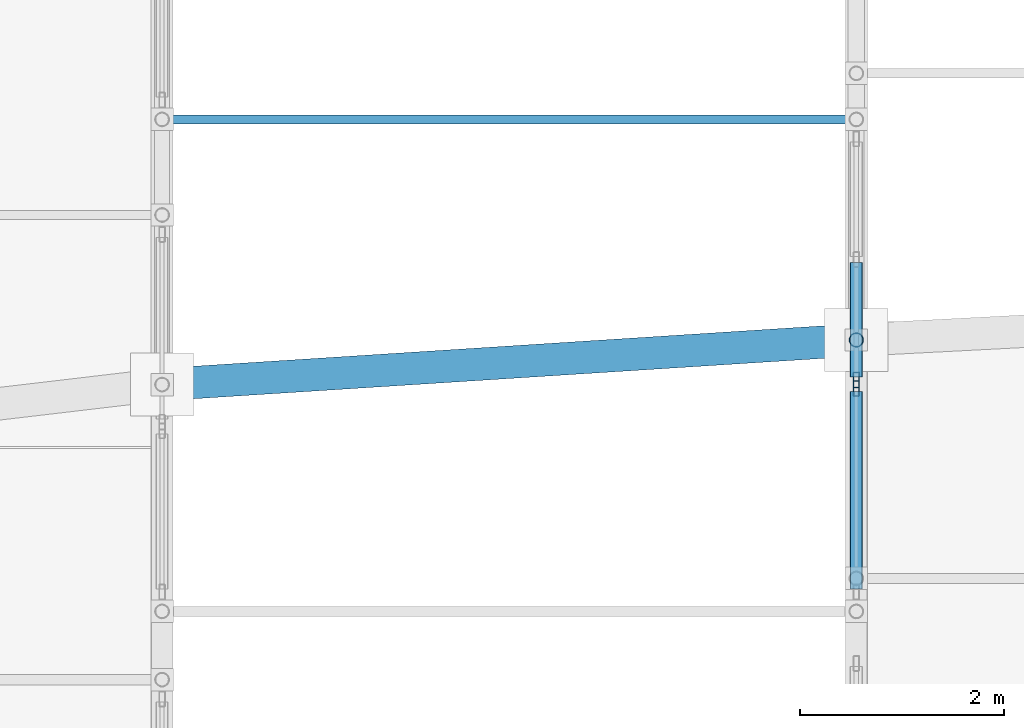
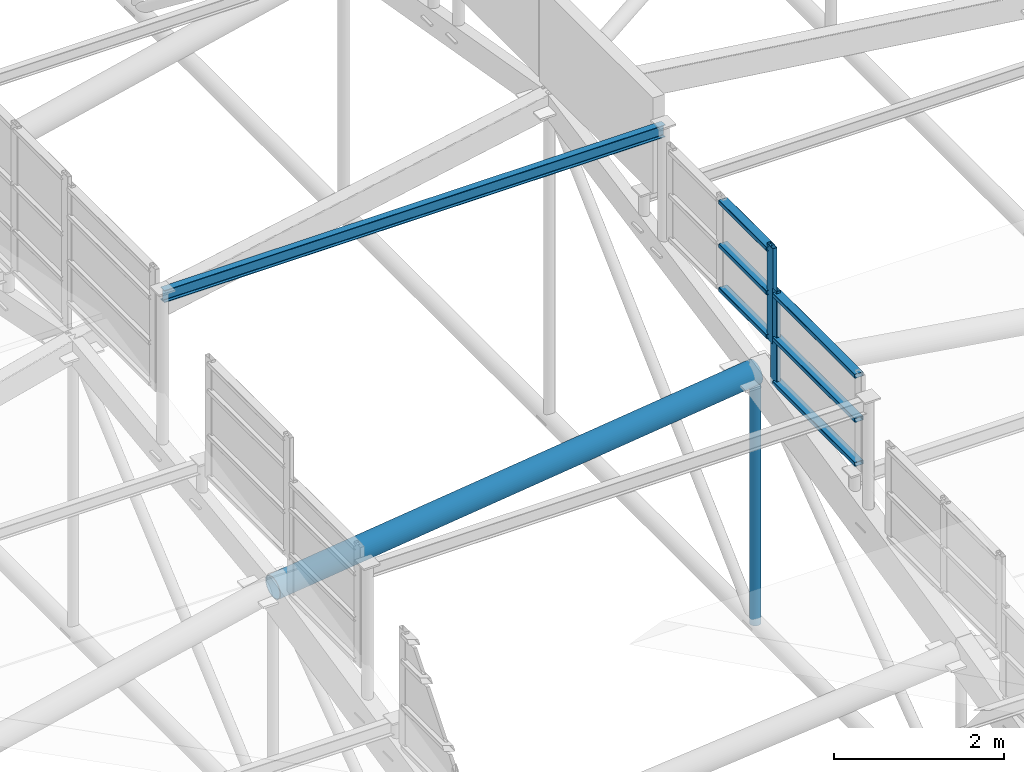
# One storey, part 76 of 188: 11 members, 2 elements without a shape of their own.
"""IFC4 building model written with IfcOpenShell, lengths in metres."""

import ifcopenshell
import ifcopenshell.guid

model = None  # the IFC model being written
_history = None  # IfcOwnerHistory: only IFC2X3 demands one
_inside = {}  # id of a spatial element -> (the spatial element, [elements in it])
_under = {}  # id of a project, library or spatial element -> (it, [spatial elements below it])
_declared = {}  # id of a project -> (the project, [libraries it declares])
_typed = {}  # id of a type object -> (the type object, [elements of that type])
_made_of = {}  # id of a material, layer set ... -> (it, [elements and type objects made of it])


def new_model(schema):
    """Start an empty IFC model of exactly this schema.

    Asked for "IFC4X3", IfcOpenShell would pick the latest addendum, in which some entities
    have other attributes; the version numbers below select the first issue.
    IFC2X3 requires an IfcOwnerHistory on every rooted entity: one is made here for all.
    """
    global model, _history
    if schema == "IFC4X3":
        model = ifcopenshell.file(schema_version=(4, 3, 0, 0))
    else:
        model = ifcopenshell.file(schema=schema)
    _inside.clear()
    _under.clear()
    _declared.clear()
    _typed.clear()
    _made_of.clear()
    _history = None
    if model.schema == "IFC2X3":
        org = make("IfcOrganization", Name="unknown")
        user = make(
            "IfcPersonAndOrganization",
            ThePerson=make("IfcPerson", FamilyName="unknown"),
            TheOrganization=org,
        )
        app = make(
            "IfcApplication",
            ApplicationDeveloper=org,
            Version="unknown",
            ApplicationFullName="unknown",
            ApplicationIdentifier="unknown",
        )
        _history = make(
            "IfcOwnerHistory",
            OwningUser=user,
            OwningApplication=app,
            ChangeAction="ADDED",
            CreationDate=0,
        )
    return model


def make(cls, **values):
    """One entity of the class cls with the attributes given. An attribute that is None is left unset."""
    return model.create_entity(
        cls, **{name: value for name, value in values.items() if value is not None}
    )


def rooted(cls, **values):
    """An entity with a GlobalId (a new one), such as an element, a storey or a relation."""
    return make(cls, GlobalId=ifcopenshell.guid.new(), OwnerHistory=_history, **values)


def si_unit(unit_type, name, prefix=None):
    """IfcSIUnit, for example si_unit("LENGTHUNIT", "METRE", prefix="MILLI")."""
    return make("IfcSIUnit", UnitType=unit_type, Prefix=prefix, Name=name)


def assignment(units):
    """IfcUnitAssignment: the units of a project."""
    return None if units is None else make("IfcUnitAssignment", Units=units)


def point(xyz):
    """IfcCartesianPoint."""
    return None if xyz is None else make("IfcCartesianPoint", Coordinates=xyz)


def direction(xyz):
    """IfcDirection."""
    return None if xyz is None else make("IfcDirection", DirectionRatios=xyz)


def frame(location, z_axis=None, x_axis=None):
    """IfcAxis2Placement3D, a coordinate frame: its origin and axes. An axis left out is left unset."""
    return make(
        "IfcAxis2Placement3D",
        Location=point(location),
        Axis=direction(z_axis),
        RefDirection=direction(x_axis),
    )


def frame_2d(location, x_axis=None):
    """IfcAxis2Placement2D, a coordinate frame in the plane: its origin and x axis."""
    return make(
        "IfcAxis2Placement2D", Location=point(location), RefDirection=direction(x_axis)
    )


def origin():
    """The frame at (0, 0, 0) with its axes left unset."""
    return frame((0.0, 0.0, 0.0))


def origin_2d():
    """The frame at (0, 0) in the plane with its x axis left unset."""
    return frame_2d((0.0, 0.0))


def place(relative_to, where):
    """IfcLocalPlacement: puts the frame where relative to a parent placement (None: the world)."""
    return make(
        "IfcLocalPlacement", PlacementRelTo=relative_to, RelativePlacement=where
    )


def context(
    kind, dimensions, precision=None, world=None, true_north=None, identifier=None
):
    """IfcGeometricRepresentationContext, for example the 3D "Model" context."""
    return make(
        "IfcGeometricRepresentationContext",
        ContextIdentifier=identifier,
        ContextType=kind,
        CoordinateSpaceDimension=dimensions,
        Precision=precision,
        WorldCoordinateSystem=world,
        TrueNorth=true_north,
    )


def subcontext(parent, identifier, kind, view, scale=None):
    """IfcGeometricRepresentationSubContext, for example "Body" below "Model"."""
    return make(
        "IfcGeometricRepresentationSubContext",
        ContextIdentifier=identifier,
        ContextType=kind,
        ParentContext=parent,
        TargetScale=scale,
        TargetView=view,
    )


def project(units=None, contexts=None):
    """IfcProject with its units and contexts."""
    return rooted(
        "IfcProject",
        Name="project",
        RepresentationContexts=contexts,
        UnitsInContext=assignment(units),
    )


def spatial(cls, under=None, at=None, **own):
    """A site, building, storey or space (cls), placed at a placement, below another one or the project."""
    s = rooted(cls, ObjectPlacement=at, **own)
    if under is not None:
        _under.setdefault(under.id(), (under, []))[1].append(s)
    return s


def profile(cls, at=None, kind="AREA", **sizes):
    """A parametric profile (cls). Its sizes go by their IFC names, for example OverallWidth=200.0."""
    return make(cls, ProfileType=kind, Position=at, **sizes)


def hollow_rectangle(**sizes):
    """IfcRectangleHollowProfileDef."""
    return profile("IfcRectangleHollowProfileDef", **sizes)


def hollow_circle(**sizes):
    """IfcCircleHollowProfileDef."""
    return profile("IfcCircleHollowProfileDef", **sizes)


def i_section(**sizes):
    """IfcIShapeProfileDef."""
    return profile("IfcIShapeProfileDef", **sizes)


def extrude(swept, where, along, depth):
    """IfcExtrudedAreaSolid: the profile swept, set in the frame where, extruded along a direction by depth."""
    return make(
        "IfcExtrudedAreaSolid",
        SweptArea=swept,
        Position=where,
        ExtrudedDirection=direction(along),
        Depth=depth,
    )


def shape(context_of_items, identifier, shape_type, items):
    """IfcShapeRepresentation: the items that make up one representation, for example the "Body"."""
    return make(
        "IfcShapeRepresentation",
        ContextOfItems=context_of_items,
        RepresentationIdentifier=identifier,
        RepresentationType=shape_type,
        Items=items,
    )


def material(Name=None, Category=None):
    """IfcMaterial."""
    return make("IfcMaterial", Name=Name, Category=Category)


def layer(
    of_material, thickness, ventilated=None, Name=None, Category=None, Priority=None
):
    """IfcMaterialLayer: one layer of a wall or slab, of a material (None: an air gap)."""
    return make(
        "IfcMaterialLayer",
        Material=of_material,
        LayerThickness=thickness,
        IsVentilated=ventilated,
        Name=Name,
        Category=Category,
        Priority=Priority,
    )


def layer_set(layers, Name=None):
    """IfcMaterialLayerSet."""
    return make("IfcMaterialLayerSet", MaterialLayers=layers, LayerSetName=Name)


def material_profile(
    of_material, cross_section, Name=None, Category=None, Priority=None
):
    """IfcMaterialProfile: a cross section and its material."""
    return make(
        "IfcMaterialProfile",
        Name=Name,
        Material=of_material,
        Profile=cross_section,
        Priority=Priority,
        Category=Category,
    )


def profile_set(profiles, Name=None, composite=None):
    """IfcMaterialProfileSet."""
    return make(
        "IfcMaterialProfileSet",
        Name=Name,
        MaterialProfiles=profiles,
        CompositeProfile=composite,
    )


def made_of(thing, what):
    """Note that an element or type object is made of a material, layer set ...; save() writes the relation."""
    if what is not None:
        _made_of.setdefault(what.id(), (what, []))[1].append(thing)
    return thing


def type_object(cls, material=None, **own):
    """A type object (cls), such as IfcWallType, which elements share."""
    return made_of(rooted(cls, **own), material)


def element(
    cls,
    number,
    at=None,
    inside=None,
    cuts=None,
    type_object=None,
    material=None,
    context=None,
    identifier="Body",
    shape_type=None,
    held_by="IfcProductDefinitionShape",
    body=None,
    shapes=None,
    **own,
):
    """One element of the class cls, such as IfcWall. Its Tag is "e" and its number.

    at: its placement. inside: the storey or other place that contains it. cuts: it is an
    opening in that element (IfcRelVoidsElement). A single representation is given by context,
    identifier, shape_type and body (its items); several are given by shapes. held_by: the class
    of the entity that holds the representations. save() writes the other relations.
    """
    e = rooted(cls, Tag="e%d" % number, ObjectPlacement=at, **own)
    if body is not None:
        shapes = [shape(context, identifier, shape_type, body)]
    if shapes is not None:
        e.Representation = make(held_by, Representations=shapes)
    if inside is not None:
        _inside.setdefault(inside.id(), (inside, []))[1].append(e)
    if cuts is not None:
        rooted(
            "IfcRelVoidsElement", RelatingBuildingElement=cuts, RelatedOpeningElement=e
        )
    if type_object is not None:
        _typed.setdefault(type_object.id(), (type_object, []))[1].append(e)
    return made_of(e, material)


def aggregate(whole, parts):
    """IfcRelAggregates: a whole, such as a stair, and the parts it consists of."""
    return rooted("IfcRelAggregates", RelatingObject=whole, RelatedObjects=parts)


def save(model, path):
    """Write the relations noted so far, then the file.

    IfcRelAggregates (storeys below a building ...), IfcRelContainedInSpatialStructure (elements
    in a storey), IfcRelDefinesByType, IfcRelAssociatesMaterial and IfcRelDeclares: one each for
    every whole, place, type object, material and project.
    """
    for whole, parts in _under.values():
        aggregate(whole, parts)
    for where, things in _inside.values():
        rooted(
            "IfcRelContainedInSpatialStructure",
            RelatedElements=things,
            RelatingStructure=where,
        )
    for kind, things in _typed.values():
        rooted("IfcRelDefinesByType", RelatedObjects=things, RelatingType=kind)
    for what, things in _made_of.values():
        rooted("IfcRelAssociatesMaterial", RelatedObjects=things, RelatingMaterial=what)
    for by, libraries in _declared.values():
        rooted("IfcRelDeclares", RelatingContext=by, RelatedDefinitions=libraries)
    model.write(path)


model = new_model("IFC4")

# Units and contexts
model_context = context("Model", 3, precision=1e-05, world=origin(), true_north=direction((0.0, 1.0)))
body_context = subcontext(model_context, "Body", "Model", "MODEL_VIEW")
ifc_project = project(units=[si_unit("LENGTHUNIT", "METRE"), si_unit("AREAUNIT", "SQUARE_METRE"), si_unit("VOLUMEUNIT", "CUBIC_METRE"), si_unit("PLANEANGLEUNIT", "RADIAN"), si_unit("MASSUNIT", "GRAM", prefix="KILO")], contexts=[model_context])

# Site, building, storey
site_placement = place(None, origin())
site = spatial("IfcSite", under=ifc_project, at=site_placement, CompositionType="ELEMENT")
building_placement = place(site_placement, origin())
building = spatial("IfcBuilding", under=site, at=building_placement, Name="Kisaragi Civic Commons", CompositionType="ELEMENT")
storey_placement = place(building_placement, frame((0.0, 0.0, 9.60009765625)))
storey = spatial("IfcBuildingStorey", under=building, at=storey_placement, Name="L02", CompositionType="ELEMENT", Elevation=9.60009765625)

# Curtain wall, member
ifc_material_1 = material(Name="Thermally broken anodized aluminium and low-E double glazing", Category="aluminium")
ifc_layer = layer(ifc_material_1, 0.14990234375, Name="Thermally broken anodized aluminium and low-E double glazing", Category="aluminium")
ifc_layer_set = layer_set([ifc_layer], Name="Thermally broken anodized aluminium and low-E double glazing")
curtain_wall_type = type_object("IfcCurtainWallType", Name="CW-03", PredefinedType="NOTDEFINED", material=ifc_layer_set)
curtain_wall_1_placement = place(storey_placement, origin())
curtain_wall_1 = element("IfcCurtainWall", 1, at=curtain_wall_1_placement, inside=storey, type_object=curtain_wall_type, Name="L02 curtain wall CW-03 CW-CL-V2-196", PredefinedType="NOTDEFINED")
ifc_material_profile_1 = material_profile(ifc_material_1, hollow_rectangle(XDim=0.06005859375, YDim=0.14990234375, WallThickness=0.00390625, InnerFilletRadius=0.00390625, OuterFilletRadius=0.008056640625, at=origin_2d()), Name="CWM-60x150x4", Category="aluminium")
ifc_profile_set_1 = profile_set([ifc_material_profile_1], Name="Thermally broken anodized aluminium and low-E double glazing")
member_type_1 = type_object("IfcMemberType", Name="CWM-01", PredefinedType="MULLION", material=ifc_profile_set_1)
member_1_placement = place(storey_placement, frame((20.39990234375, 93.25048828125, 3.319580078125), z_axis=(0.0, 0.0, 1.0), x_axis=(-1.0, 0.0, 0.0)))
member_1 = element("IfcMember", 2, at=member_1_placement, type_object=member_type_1, Name="CW-03 mullion 2", PredefinedType="MULLION", context=body_context, shape_type="SweptSolid", body=[
    extrude(hollow_rectangle(XDim=0.06005859375, YDim=0.14990234375, WallThickness=0.00390625, InnerFilletRadius=0.00390625, OuterFilletRadius=0.008056640625, at=origin_2d()), origin(), (0.0, 0.0, 1.0), 1.38525390625),
])

curtain_wall_2_placement = place(storey_placement, origin())
curtain_wall_2 = element("IfcCurtainWall", 3, at=curtain_wall_2_placement, inside=storey, type_object=curtain_wall_type, Name="L02 curtain wall CW-03 CW-CL-V2-197", PredefinedType="NOTDEFINED")
member_2_placement = place(storey_placement, frame((20.39990234375, 93.33447265625, 3.8955078125), z_axis=(0.0, 0.0, 1.0), x_axis=(-1.0, 0.0, 0.0)))
member_2 = element("IfcMember", 4, at=member_2_placement, type_object=member_type_1, Name="CW-03 mullion 1", PredefinedType="MULLION", context=body_context, shape_type="SweptSolid", body=[
    extrude(hollow_rectangle(XDim=0.06005859375, YDim=0.14990234375, WallThickness=0.00390625, InnerFilletRadius=0.00390625, OuterFilletRadius=0.008056640625, at=origin_2d()), origin(), (0.0, 0.0, 1.0), 1.37451171875),
])

# Member
ifc_material_profile_2 = material_profile(ifc_material_1, hollow_rectangle(XDim=0.1201171875, YDim=0.06005859375, WallThickness=0.00390625, InnerFilletRadius=0.00390625, OuterFilletRadius=0.008056640625, at=origin_2d()), Name="CWT-60x120x4", Category="aluminium")
ifc_profile_set_2 = profile_set([ifc_material_profile_2], Name="Thermally broken anodized aluminium and low-E double glazing")
member_type_2 = type_object("IfcMemberType", Name="CWT-01", PredefinedType="USERDEFINED", material=ifc_profile_set_2)
member_3_placement = place(storey_placement, frame((20.39990234375, 91.287109375, 3.379638671875), z_axis=(0.0, 1.0, 0.0), x_axis=(-1.0, 0.0, 0.0)))
member_3 = element("IfcMember", 5, at=member_3_placement, type_object=member_type_2, Name="CW-03 transom 1.1", ObjectType="TRANSOM", PredefinedType="USERDEFINED", context=body_context, shape_type="SweptSolid", body=[
    extrude(hollow_rectangle(XDim=0.1201171875, YDim=0.06005859375, WallThickness=0.00390625, InnerFilletRadius=0.00390625, OuterFilletRadius=0.008056640625, at=origin_2d()), origin(), (0.0, 0.0, 1.0), 1.933349609375),
])

member_4_placement = place(storey_placement, frame((20.39990234375, 91.287109375, 4.01220703125), z_axis=(0.0, 1.0, 0.0), x_axis=(-1.0, 0.0, 0.0)))
member_4 = element("IfcMember", 6, at=member_4_placement, type_object=member_type_2, Name="CW-03 transom 1.2", ObjectType="TRANSOM", PredefinedType="USERDEFINED", context=body_context, shape_type="SweptSolid", body=[
    extrude(hollow_rectangle(XDim=0.1201171875, YDim=0.06005859375, WallThickness=0.00390625, InnerFilletRadius=0.00390625, OuterFilletRadius=0.008056640625, at=origin_2d()), origin(), (0.0, 0.0, 1.0), 1.933349609375),
])

member_5_placement = place(storey_placement, frame((20.39990234375, 91.287109375, 4.64501953125), z_axis=(0.0, 1.0, 0.0), x_axis=(-1.0, 0.0, 0.0)))
member_5 = element("IfcMember", 7, at=member_5_placement, type_object=member_type_2, Name="CW-03 transom 1.3", ObjectType="TRANSOM", PredefinedType="USERDEFINED", context=body_context, shape_type="SweptSolid", body=[
    extrude(hollow_rectangle(XDim=0.1201171875, YDim=0.06005859375, WallThickness=0.00390625, InnerFilletRadius=0.00390625, OuterFilletRadius=0.008056640625, at=origin_2d()), origin(), (0.0, 0.0, 1.0), 1.933349609375),
])

aggregate(curtain_wall_1, [member_1, member_3, member_4, member_5])

member_6_placement = place(storey_placement, frame((20.39990234375, 93.364501953125, 3.955322265625), z_axis=(0.0, 1.0, 0.0), x_axis=(-1.0, 0.0, 0.0)))
member_6 = element("IfcMember", 8, at=member_6_placement, type_object=member_type_2, Name="CW-03 transom 1.1", ObjectType="TRANSOM", PredefinedType="USERDEFINED", context=body_context, shape_type="SweptSolid", body=[
    extrude(hollow_rectangle(XDim=0.1201171875, YDim=0.06005859375, WallThickness=0.00390625, InnerFilletRadius=0.00390625, OuterFilletRadius=0.008056640625, at=origin_2d()), origin(), (0.0, 0.0, 1.0), 1.12060546875),
])

member_7_placement = place(storey_placement, frame((20.39990234375, 93.364501953125, 4.582763671875), z_axis=(0.0, 1.0, 0.0), x_axis=(-1.0, 0.0, 0.0)))
member_7 = element("IfcMember", 9, at=member_7_placement, type_object=member_type_2, Name="CW-03 transom 1.2", ObjectType="TRANSOM", PredefinedType="USERDEFINED", context=body_context, shape_type="SweptSolid", body=[
    extrude(hollow_rectangle(XDim=0.1201171875, YDim=0.06005859375, WallThickness=0.00390625, InnerFilletRadius=0.00390625, OuterFilletRadius=0.008056640625, at=origin_2d()), origin(), (0.0, 0.0, 1.0), 1.12060546875),
])

member_8_placement = place(storey_placement, frame((20.39990234375, 93.364501953125, 5.210205078125), z_axis=(0.0, 1.0, 0.0), x_axis=(-1.0, 0.0, 0.0)))
member_8 = element("IfcMember", 10, at=member_8_placement, type_object=member_type_2, Name="CW-03 transom 1.3", ObjectType="TRANSOM", PredefinedType="USERDEFINED", context=body_context, shape_type="SweptSolid", body=[
    extrude(hollow_rectangle(XDim=0.1201171875, YDim=0.06005859375, WallThickness=0.00390625, InnerFilletRadius=0.00390625, OuterFilletRadius=0.008056640625, at=origin_2d()), origin(), (0.0, 0.0, 1.0), 1.12060546875),
])

aggregate(curtain_wall_2, [member_2, member_6, member_7, member_8])

# Members
ifc_material_2 = material(Name="Steel SN490 (SN490B)", Category="steel")
ifc_material_profile_3 = material_profile(ifc_material_2, hollow_circle(Radius=0.1591796875, WallThickness=0.01025390625, at=origin_2d()), Name="CHS-318.5x10.3", Category="steel")
ifc_profile_set_3 = profile_set([ifc_material_profile_3], Name="Steel SN490 (SN490B)")
member_type_3 = type_object("IfcMemberType", Name="GC-03", PredefinedType="CHORD", material=ifc_profile_set_3)
member_9_placement = place(storey_placement, frame((13.60009765625, 93.288818359375, 2.767822265625), z_axis=(0.995748755099, 0.063923552137, 0.066318897771), x_axis=(-0.06406459171, 0.997945754081, 0.0)))
element("IfcMember", 11, at=member_9_placement, inside=storey, type_object=member_type_3, Name="V2 wave gridshell chord GC-03 17", PredefinedType="CHORD", context=body_context, shape_type="SweptSolid", body=[
    extrude(hollow_circle(Radius=0.1591796875, WallThickness=0.01025390625, at=origin_2d()), origin(), (0.0, 0.0, 1.0), 6.828857421875),
])
ifc_material_3 = material(Name="Steel SN400 (SN400B)", Category="steel")
ifc_material_profile_4 = material_profile(ifc_material_3, i_section(OverallWidth=0.090087890625, OverallDepth=0.175048828125, WebThickness=0.0048828125, FlangeThickness=0.008056640625, FilletRadius=0.008056640625, at=origin_2d()), Name="H-175x90x5x8", Category="steel")
ifc_profile_set_4 = profile_set([ifc_material_profile_4], Name="Steel SN400 (SN400B)")
member_type_4 = type_object("IfcMemberType", Name="PR-03", PredefinedType="PURLIN", material=ifc_profile_set_4)
member_10_placement = place(storey_placement, frame((13.60009765625, 95.8857421875, 5.388916015625), z_axis=(1.0, 0.0, 0.0), x_axis=(0.0, 1.0, 0.0)))
element("IfcMember", 12, at=member_10_placement, inside=storey, type_object=member_type_4, Name="V2 wave vault steel purlin 20", PredefinedType="PURLIN", context=body_context, shape_type="SweptSolid", body=[
    extrude(i_section(OverallWidth=0.090087890625, OverallDepth=0.175048828125, WebThickness=0.0048828125, FlangeThickness=0.008056640625, FilletRadius=0.008056640625, at=origin_2d()), origin(), (0.0, 0.0, 1.0), 6.7998046875),
])
ifc_material_profile_5 = material_profile(ifc_material_2, hollow_circle(Radius=0.06982421875, WallThickness=0.006103515625, at=origin_2d()), Name="CHS-139.8x6.0", Category="steel")
ifc_profile_set_5 = profile_set([ifc_material_profile_5], Name="Steel SN490 (SN490B)")
member_type_5 = type_object("IfcMemberType", Name="ST-H1", PredefinedType="STRUT", material=ifc_profile_set_5)
member_11_placement = place(storey_placement, frame((20.39990234375, 93.725341796875, -0.385009765625), z_axis=(0.0, 0.0, 1.0), x_axis=(1.0, 0.0, 0.0)))
element("IfcMember", 13, at=member_11_placement, inside=storey, type_object=member_type_5, Name="V2 arch tie hanger strut 47", PredefinedType="STRUT", context=body_context, shape_type="SweptSolid", body=[
    extrude(hollow_circle(Radius=0.06982421875, WallThickness=0.006103515625, at=origin_2d()), origin(), (0.0, 0.0, 1.0), 3.605712890625),
])

save(model, "model.ifc")
